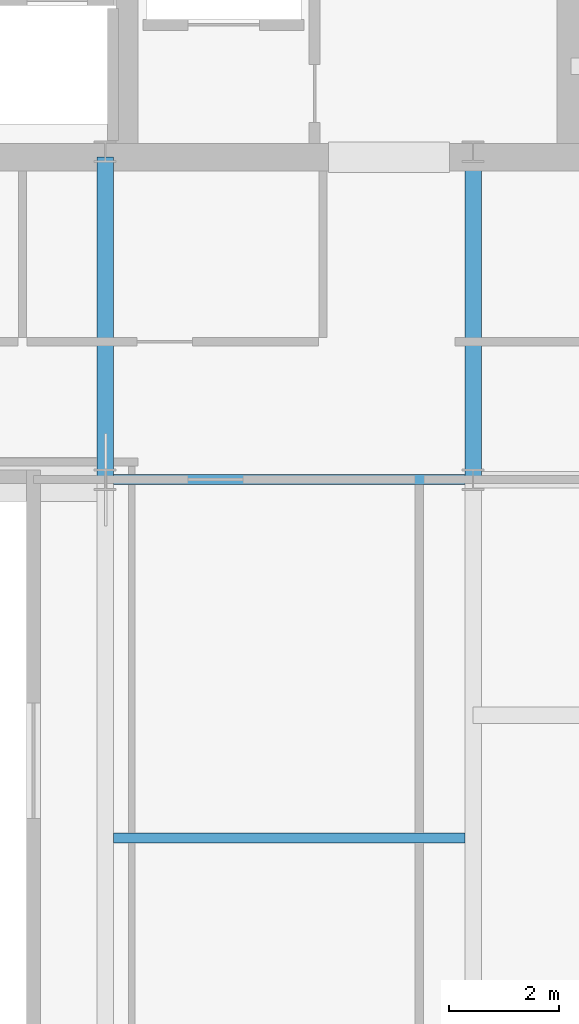
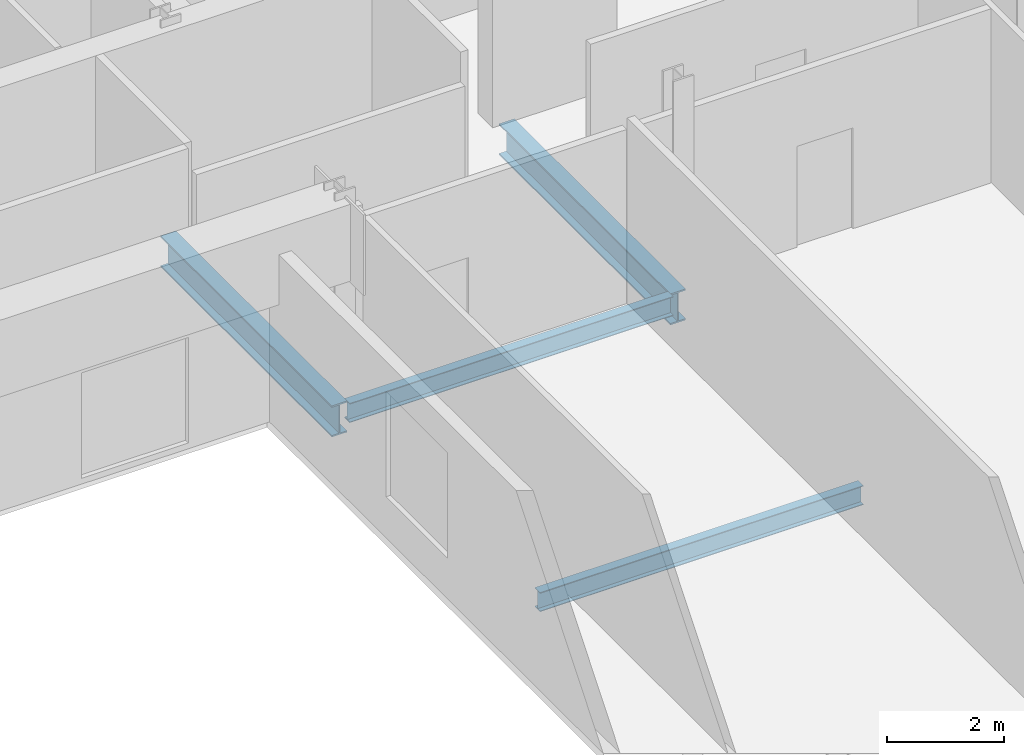
# One storey, part 15 of 27: 4 beams.
"""IFC4 building model written with IfcOpenShell, lengths in metres."""

from ifc_helpers import new_model, si_unit, direction, frame, origin, origin_2d, place, context, subcontext, project, spatial, i_section, extrude, material, material_profile, profile_set, type_object, element, save


model = new_model("IFC4")

# Units and contexts
model_context = context("Model", 3, precision=1e-05, world=origin(), true_north=direction((0.0, 1.0)))
body_context = subcontext(model_context, "Body", "Model", "MODEL_VIEW")
ifc_project = project(units=[si_unit("LENGTHUNIT", "METRE"), si_unit("AREAUNIT", "SQUARE_METRE"), si_unit("VOLUMEUNIT", "CUBIC_METRE"), si_unit("PLANEANGLEUNIT", "RADIAN"), si_unit("MASSUNIT", "GRAM", prefix="KILO")], contexts=[model_context])

# Site, building, storey
site_placement = place(None, origin())
site = spatial("IfcSite", under=ifc_project, at=site_placement, CompositionType="ELEMENT")
building_placement = place(site_placement, origin())
building = spatial("IfcBuilding", under=site, at=building_placement, Name="Khoronbel Lancet Exchange", CompositionType="ELEMENT")
storey_placement = place(building_placement, frame((0.0, 0.0, 310.199951171875)))
storey = spatial("IfcBuildingStorey", under=building, at=storey_placement, Name="L80", CompositionType="ELEMENT", Elevation=310.199951171875)

# Beams
ifc_material = material(Name="Steel S355", Category="steel")
ifc_material_profile_1 = material_profile(ifc_material, i_section(OverallWidth=0.300048828125, OverallDepth=0.64990234375, WebThickness=0.01611328125, FlangeThickness=0.031005859375, at=origin_2d()), Name="HEB 650")
ifc_profile_set_1 = profile_set([ifc_material_profile_1], Name="Steel S355")
beam_type_1 = type_object("IfcBeamType", Name="BM-BG4", PredefinedType="BEAM", material=ifc_profile_set_1)
for number, where, z_axis, x_axis, name in (
    (1, (48.0, 35.699951171875, -0.48486328125), (0.0, 1.0, 0.0), (-1.0, 0.0, 0.0), "Level L80 spine tie girder GN5"),
    (2, (54.675048828125, 35.699951171875, -0.48486328125), (0.0, 1.0, 0.0), (-1.0, 0.0, 0.0), "Level L80 spine tie girder GN6"),
):
    element("IfcBeam", number, at=place(storey_placement, frame(where, z_axis=z_axis, x_axis=x_axis)), inside=storey, type_object=beam_type_1, Name=name, PredefinedType="BEAM", context=body_context, shape_type="SweptSolid", body=[
        extrude(i_section(OverallWidth=0.300048828125, OverallDepth=0.64990234375, WebThickness=0.01611328125, FlangeThickness=0.031005859375, at=origin_2d()), origin(), (0.0, 0.0, 1.0), 5.85009765625),
    ])
ifc_material_profile_2 = material_profile(ifc_material, i_section(OverallWidth=0.179931640625, OverallDepth=0.39990234375, WebThickness=0.008544921875, FlangeThickness=0.013427734375, at=origin_2d()), Name="IPE 400")
ifc_profile_set_2 = profile_set([ifc_material_profile_2], Name="Steel S355")
beam_type_2 = type_object("IfcBeamType", Name="BM-BJ5", PredefinedType="JOIST", material=ifc_profile_set_2)
for number, where, z_axis, x_axis, name in (
    (3, (48.14990234375, 29.199951171875, -0.35986328125), (1.0, 0.0, 0.0), (0.0, 1.0, 0.0), "Level L80 secondary composite joist J06"),
    (4, (48.14990234375, 35.699951171875, -0.35986328125), (1.0, 0.0, 0.0), (0.0, 1.0, 0.0), "Level L80 secondary composite joist J08"),
):
    element("IfcBeam", number, at=place(storey_placement, frame(where, z_axis=z_axis, x_axis=x_axis)), inside=storey, type_object=beam_type_2, Name=name, PredefinedType="JOIST", context=body_context, shape_type="SweptSolid", body=[
        extrude(i_section(OverallWidth=0.179931640625, OverallDepth=0.39990234375, WebThickness=0.008544921875, FlangeThickness=0.013427734375, at=origin_2d()), origin(), (0.0, 0.0, 1.0), 6.375),
    ])

save(model, "model.ifc")
